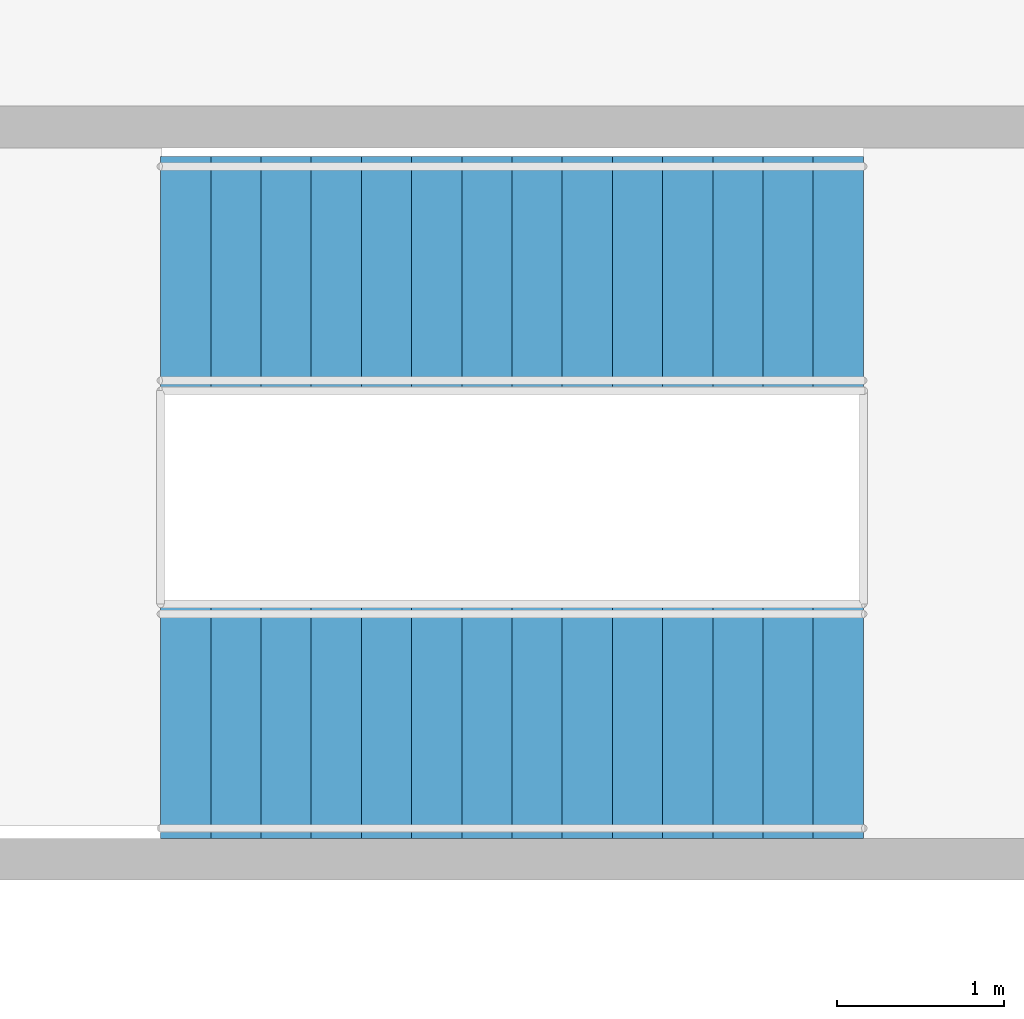
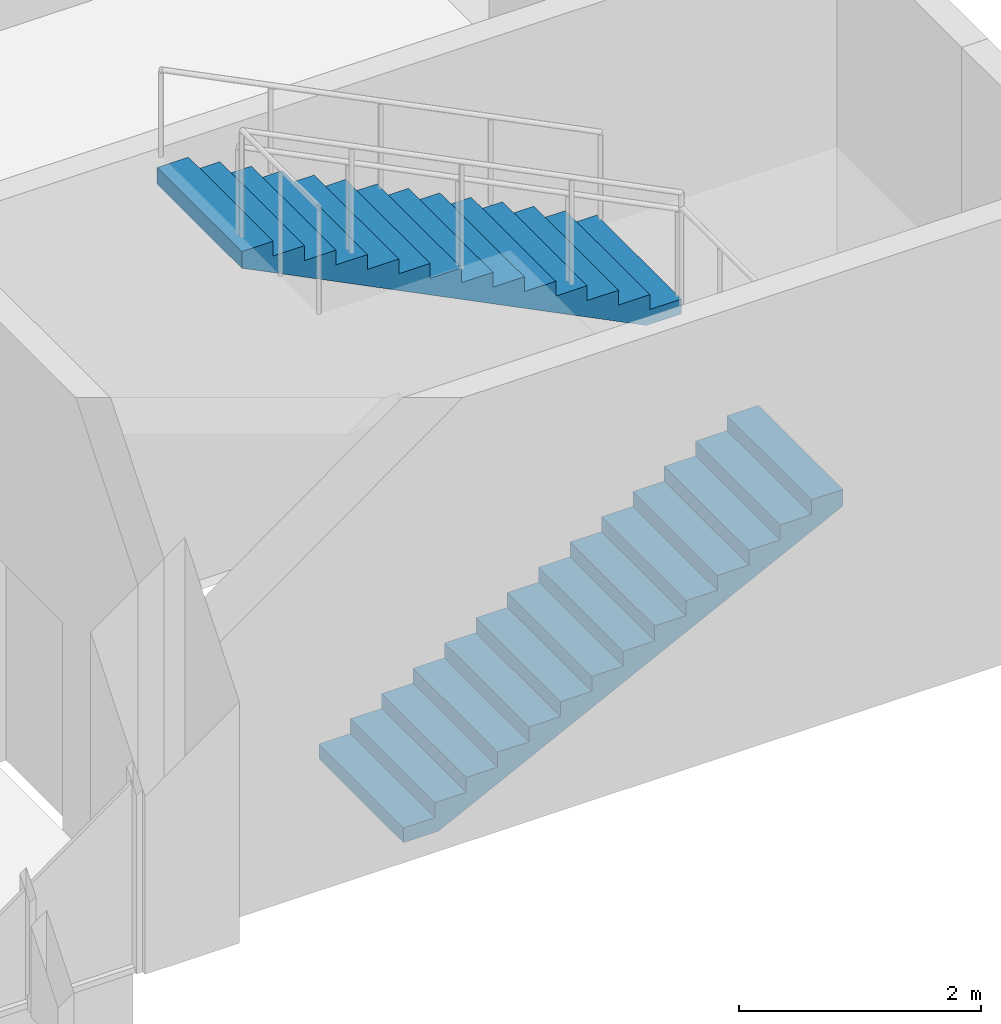
# One storey, part 35 of 45: 2 stair flights, 1 element without a shape of its own.
"""IFC4 building model written with IfcOpenShell, lengths in metres."""

from ifc_helpers import new_model, si_unit, direction, frame, origin, place, context, subcontext, project, spatial, polyline, outline, extrude, material, type_object, element, aggregate, save


model = new_model("IFC4")

# Units and contexts
model_context = context("Model", 3, precision=1e-05, world=origin(), true_north=direction((0.0, 1.0)))
body_context = subcontext(model_context, "Body", "Model", "MODEL_VIEW")
ifc_project = project(units=[si_unit("LENGTHUNIT", "METRE"), si_unit("AREAUNIT", "SQUARE_METRE"), si_unit("VOLUMEUNIT", "CUBIC_METRE"), si_unit("PLANEANGLEUNIT", "RADIAN"), si_unit("MASSUNIT", "GRAM", prefix="KILO")], contexts=[model_context])

# Site, building, storey
site_placement = place(None, origin())
site = spatial("IfcSite", under=ifc_project, at=site_placement, CompositionType="ELEMENT")
building_placement = place(site_placement, origin())
building = spatial("IfcBuilding", under=site, at=building_placement, Name="Guidao Yard Department Store", CompositionType="ELEMENT")
storey_placement = place(building_placement, frame((0.0, 0.0, 19.5)))
storey = spatial("IfcBuildingStorey", under=building, at=storey_placement, Name="L04", CompositionType="ELEMENT", Elevation=19.5)

# Stair, stair flights
ifc_material_1 = material(Name="Concrete C35", Category="concrete")
stair_type = type_object("IfcStairType", Name="Stair half-turn two-flight 1400 wide 4.5 m rise", PredefinedType="HALF_TURN_STAIR", material=ifc_material_1)
stair_placement = place(storey_placement, origin())
stair = element("IfcStair", 1, at=stair_placement, inside=storey, type_object=stair_type, Name="Stair O2 L04 to L05", PredefinedType="HALF_TURN_STAIR")
ifc_material_2 = material(Name="Concrete C35", Category="concrete")
stair_flight_type = type_object("IfcStairFlightType", Name="Stair flight RC straight 1400 wide 15 risers x 300 going C35", PredefinedType="STRAIGHT", material=ifc_material_2)
stair_flight_1_placement = place(storey_placement, frame((164.35009765625, 0.824951171875, 0.0), z_axis=(0.0, 0.0, 1.0), x_axis=(1.0, 0.0, 0.0)))
stair_flight_1 = element("IfcStairFlight", 2, at=stair_flight_1_placement, type_object=stair_flight_type, Name="SO2-L04 flight 1", NumberOfRisers=15, NumberOfTreads=14, PredefinedType="STRAIGHT", RiserHeight=0.15, TreadLength=0.3, context=body_context, shape_type="SweptSolid", body=[
    extrude(outline(polyline([(0.0, 0.0), (0.0, 0.14990234375), (0.300048828125, 0.14990234375), (0.300048828125, 0.300048828125), (0.60009765625, 0.300048828125), (0.60009765625, 0.449951171875), (0.89990234375, 0.449951171875), (0.89990234375, 0.60009765625), (1.199951171875, 0.60009765625), (1.199951171875, 0.75), (1.5, 0.75), (1.5, 0.89990234375), (1.800048828125, 0.89990234375), (1.800048828125, 1.050048828125), (2.10009765625, 1.050048828125), (2.10009765625, 1.199951171875), (2.39990234375, 1.199951171875), (2.39990234375, 1.35009765625), (2.699951171875, 1.35009765625), (2.699951171875, 1.5), (3.0, 1.5), (3.0, 1.64990234375), (3.300048828125, 1.64990234375), (3.300048828125, 1.800048828125), (3.60009765625, 1.800048828125), (3.60009765625, 1.949951171875), (3.89990234375, 1.949951171875), (3.89990234375, 2.10009765625), (4.199951171875, 2.10009765625), (4.199951171875, 2.25), (4.199951171875, 1.932373046875), (0.335205078125, 0.0), (0.0, 0.0)])), frame((0.0, 0.699951171875, 0.0), z_axis=(0.0, -1.0, 0.0), x_axis=(1.0, 0.0, 0.0)), (0.0, 0.0, 1.0), 1.39990234375),
])
stair_flight_2_placement = place(storey_placement, frame((168.550048828125, 3.5, 2.25), z_axis=(0.0, 0.0, 1.0), x_axis=(-1.0, 0.0, 0.0)))
stair_flight_2 = element("IfcStairFlight", 3, at=stair_flight_2_placement, type_object=stair_flight_type, Name="SO2-L04 flight 2", NumberOfRisers=15, NumberOfTreads=14, PredefinedType="STRAIGHT", RiserHeight=0.15, TreadLength=0.3, context=body_context, shape_type="SweptSolid", body=[
    extrude(outline(polyline([(0.0, 0.0), (0.0, 0.14990234375), (0.300048828125, 0.14990234375), (0.300048828125, 0.300048828125), (0.60009765625, 0.300048828125), (0.60009765625, 0.449951171875), (0.89990234375, 0.449951171875), (0.89990234375, 0.60009765625), (1.199951171875, 0.60009765625), (1.199951171875, 0.75), (1.5, 0.75), (1.5, 0.89990234375), (1.800048828125, 0.89990234375), (1.800048828125, 1.050048828125), (2.10009765625, 1.050048828125), (2.10009765625, 1.199951171875), (2.39990234375, 1.199951171875), (2.39990234375, 1.35009765625), (2.699951171875, 1.35009765625), (2.699951171875, 1.5), (3.0, 1.5), (3.0, 1.64990234375), (3.300048828125, 1.64990234375), (3.300048828125, 1.800048828125), (3.60009765625, 1.800048828125), (3.60009765625, 1.949951171875), (3.89990234375, 1.949951171875), (3.89990234375, 2.10009765625), (4.199951171875, 2.10009765625), (4.199951171875, 2.25), (4.199951171875, 1.932373046875), (0.335205078125, 0.0), (0.0, 0.0)])), frame((0.0, 0.699951171875, 0.0), z_axis=(0.0, -1.0, 0.0), x_axis=(1.0, 0.0, 0.0)), (0.0, 0.0, 1.0), 1.39990234375),
])
aggregate(stair, [stair_flight_1, stair_flight_2])

save(model, "model.ifc")
